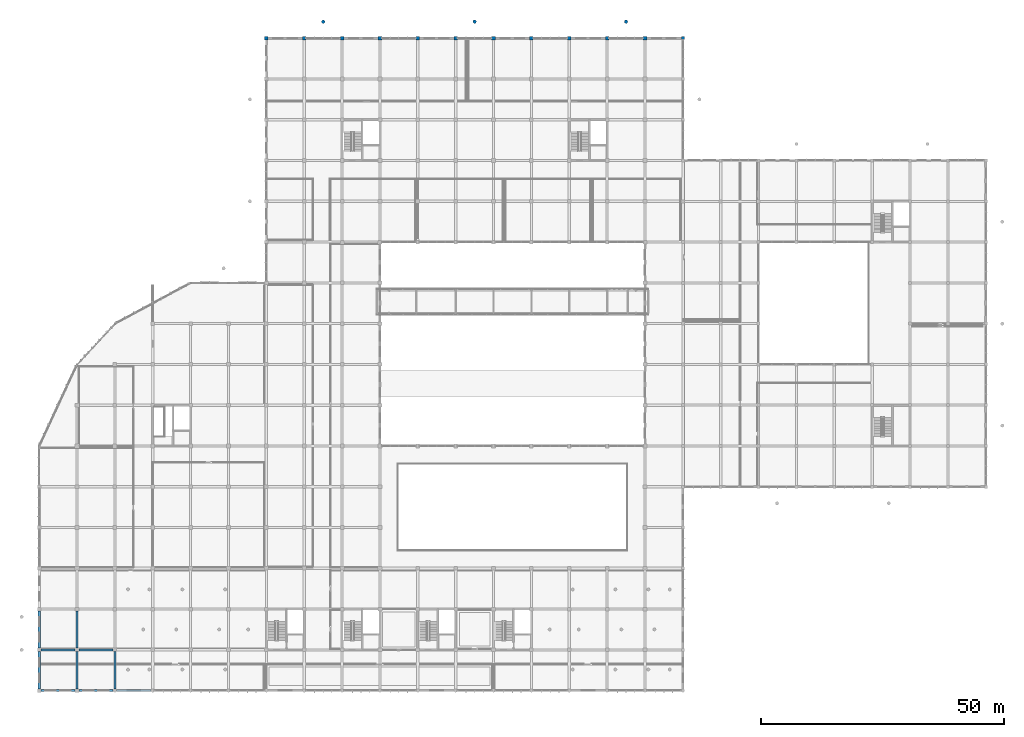
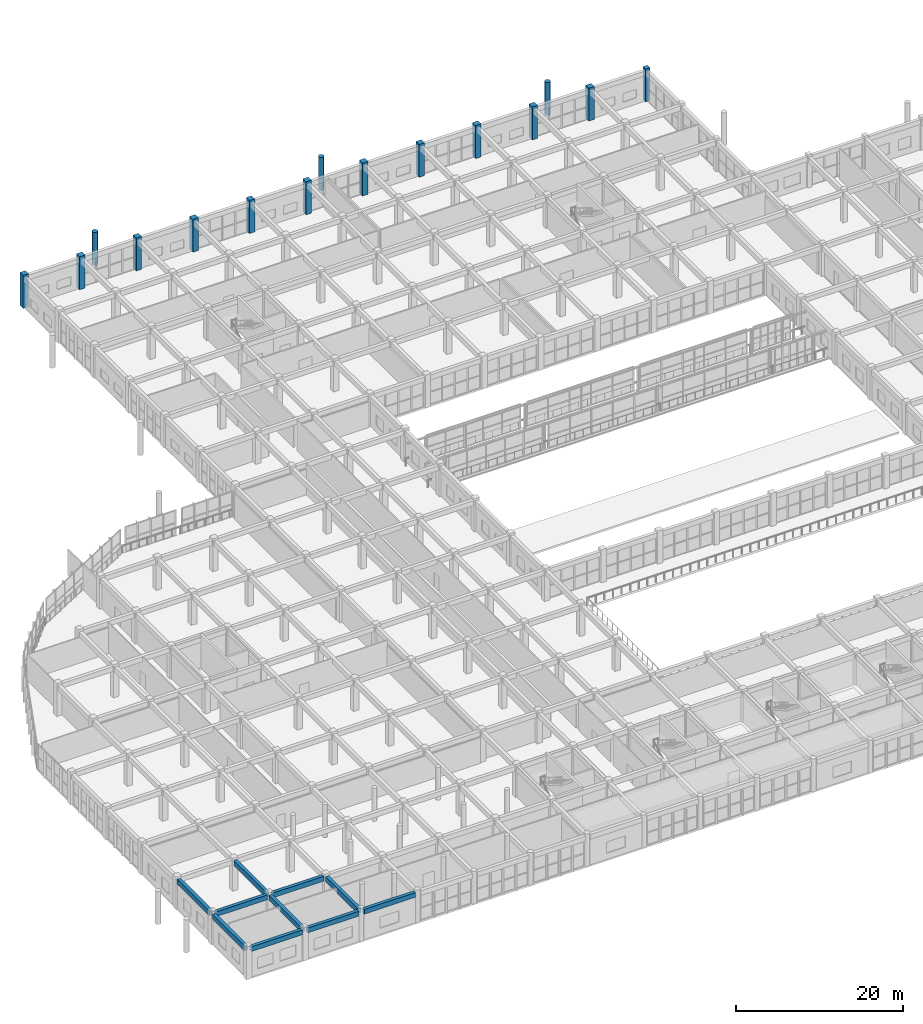
# One storey, part 5 of 167: 15 columns, 10 beams.
"""IFC4 building model written with IfcOpenShell, lengths in metres."""

from ifc_helpers import new_model, si_unit, direction, frame, origin, origin_2d, place, context, subcontext, project, spatial, rectangle, circle, extrude, material, material_profile, profile_set, type_object, element, save


model = new_model("IFC4")

# Units and contexts
model_context = context("Model", 3, precision=1e-05, world=origin(), true_north=direction((0.0, 1.0)))
body_context = subcontext(model_context, "Body", "Model", "MODEL_VIEW")
ifc_project = project(units=[si_unit("LENGTHUNIT", "METRE"), si_unit("AREAUNIT", "SQUARE_METRE"), si_unit("VOLUMEUNIT", "CUBIC_METRE"), si_unit("PLANEANGLEUNIT", "RADIAN"), si_unit("MASSUNIT", "GRAM", prefix="KILO")], contexts=[model_context])

# Site, building, storey
site_placement = place(None, origin())
site = spatial("IfcSite", under=ifc_project, at=site_placement, CompositionType="ELEMENT")
building_placement = place(site_placement, origin())
building = spatial("IfcBuilding", under=site, at=building_placement, Name="Zizhar Promenade General Hospital", CompositionType="ELEMENT")
storey_placement = place(building_placement, frame((0.0, 0.0, 9.60009765625)))
storey = spatial("IfcBuildingStorey", under=building, at=storey_placement, Name="L02", CompositionType="ELEMENT", Elevation=9.60009765625)

# Columns
ifc_material_1 = material(Name="Concrete C40/50", Category="concrete")
ifc_material_profile_1 = material_profile(ifc_material_1, circle(Radius=0.35009765625, at=origin_2d()))
ifc_profile_set_1 = profile_set([ifc_material_profile_1], Name="Concrete C40/50")
column_type_1 = type_object("IfcColumnType", Name="COL-CIRC-700", PredefinedType="PILASTER", material=ifc_profile_set_1)
for number, where, z_axis, x_axis, name in (
    (1, (58.5, 137.800048828125, 0.0), (0.0, 0.0, 1.0), (1.0, 0.0, 0.0), "Base Roof Colonnade Column 06 (L02)"),
    (2, (89.699951171875, 137.800048828125, 0.0), (0.0, 0.0, 1.0), (1.0, 0.0, 0.0), "Base Roof Colonnade Column 07 (L02)"),
    (3, (120.89990234375, 137.800048828125, 0.0), (0.0, 0.0, 1.0), (1.0, 0.0, 0.0), "Base Roof Colonnade Column 08 (L02)"),
):
    element("IfcColumn", number, at=place(storey_placement, frame(where, z_axis=z_axis, x_axis=x_axis)), inside=storey, type_object=column_type_1, Name=name, PredefinedType="PILASTER", context=body_context, shape_type="SweptSolid", body=[
        extrude(circle(Radius=0.35009765625, at=origin_2d()), origin(), (0.0, 0.0, 1.0), 4.7998046875),
    ])
ifc_material_2 = material(Name="Concrete C40/50", Category="concrete")
ifc_material_profile_2 = material_profile(ifc_material_2, rectangle(XDim=0.6201171875, YDim=0.6201171875, at=origin_2d()))
ifc_profile_set_2 = profile_set([ifc_material_profile_2], Name="Concrete C40/50")
column_type_2 = type_object("IfcColumnType", Name="COL-RC-620", PredefinedType="COLUMN", material=ifc_profile_set_2)
column_placement = place(storey_placement, frame((132.60009765625, 134.39990234375, 0.0), z_axis=(0.0, 0.0, 1.0), x_axis=(1.0, 0.0, 0.0)))
element("IfcColumn", 4, at=column_placement, inside=storey, type_object=column_type_2, Name="Column 18-S (L02)", PredefinedType="COLUMN", context=body_context, shape_type="SweptSolid", body=[
    extrude(rectangle(XDim=0.6201171875, YDim=0.6201171875, at=origin_2d()), origin(), (0.0, 0.0, 1.0), 4.7998046875),
])
ifc_material_3 = material(Name="Concrete C40/50", Category="concrete")
ifc_material_profile_3 = material_profile(ifc_material_3, rectangle(XDim=0.75, YDim=0.75, at=origin_2d()))
ifc_profile_set_3 = profile_set([ifc_material_profile_3], Name="Concrete C40/50")
column_type_3 = type_object("IfcColumnType", Name="COL-RC-750", PredefinedType="COLUMN", material=ifc_profile_set_3)
for number, where, z_axis, x_axis, name in (
    (5, (46.800048828125, 134.39990234375, 0.0), (0.0, 0.0, 1.0), (1.0, 0.0, 0.0), "Column 7-S (L02)"),
    (6, (54.60009765625, 134.39990234375, 0.0), (0.0, 0.0, 1.0), (1.0, 0.0, 0.0), "Column 8-S (L02)"),
    (7, (62.39990234375, 134.39990234375, 0.0), (0.0, 0.0, 1.0), (1.0, 0.0, 0.0), "Column 9-S (L02)"),
    (8, (70.199951171875, 134.39990234375, 0.0), (0.0, 0.0, 1.0), (1.0, 0.0, 0.0), "Column 10-S (L02)"),
    (9, (78.0, 134.39990234375, 0.0), (0.0, 0.0, 1.0), (1.0, 0.0, 0.0), "Column 11-S (L02)"),
    (10, (85.800048828125, 134.39990234375, 0.0), (0.0, 0.0, 1.0), (1.0, 0.0, 0.0), "Column 12-S (L02)"),
    (11, (93.60009765625, 134.39990234375, 0.0), (0.0, 0.0, 1.0), (1.0, 0.0, 0.0), "Column 13-S (L02)"),
    (12, (101.39990234375, 134.39990234375, 0.0), (0.0, 0.0, 1.0), (1.0, 0.0, 0.0), "Column 14-S (L02)"),
    (13, (109.199951171875, 134.39990234375, 0.0), (0.0, 0.0, 1.0), (1.0, 0.0, 0.0), "Column 15-S (L02)"),
    (14, (117.0, 134.39990234375, 0.0), (0.0, 0.0, 1.0), (1.0, 0.0, 0.0), "Column 16-S (L02)"),
    (15, (124.800048828125, 134.39990234375, 0.0), (0.0, 0.0, 1.0), (1.0, 0.0, 0.0), "Column 17-S (L02)"),
):
    element("IfcColumn", number, at=place(storey_placement, frame(where, z_axis=z_axis, x_axis=x_axis)), inside=storey, type_object=column_type_3, Name=name, PredefinedType="COLUMN", context=body_context, shape_type="SweptSolid", body=[
        extrude(rectangle(XDim=0.75, YDim=0.75, at=origin_2d()), origin(), (0.0, 0.0, 1.0), 4.7998046875),
    ])

# Beams
ifc_material_4 = material(Name="Concrete C35/45", Category="concrete")
ifc_material_profile_4 = material_profile(ifc_material_4, rectangle(XDim=0.449951171875, YDim=0.699951171875, at=origin_2d()))
ifc_profile_set_4 = profile_set([ifc_material_profile_4], Name="Concrete C35/45")
beam_type_1 = type_object("IfcBeamType", Name="BM-RC-450x700", PredefinedType="BEAM", material=ifc_profile_set_4)
for number, where, z_axis, x_axis, name in (
    (16, (0.375, 0.0, 4.119873046875), (1.0, 0.0, 0.0), (0.0, 1.0, 0.0), "Grid Beam X L02 (0-0)"),
    (17, (0.375, 8.39990234375, 4.119873046875), (1.0, 0.0, 0.0), (0.0, 1.0, 0.0), "Grid Beam X L02 (0-1)"),
):
    element("IfcBeam", number, at=place(storey_placement, frame(where, z_axis=z_axis, x_axis=x_axis)), inside=storey, type_object=beam_type_1, Name=name, PredefinedType="BEAM", context=body_context, shape_type="SweptSolid", body=[
        extrude(rectangle(XDim=0.449951171875, YDim=0.699951171875, at=origin_2d()), origin(), (0.0, 0.0, 1.0), 7.050048828125),
    ])
beam_1_placement = place(storey_placement, frame((8.175048828125, 0.0, 4.119873046875), z_axis=(1.0, 0.0, 0.0), x_axis=(0.0, 1.0, 0.0)))
element("IfcBeam", 18, at=beam_1_placement, inside=storey, type_object=beam_type_1, Name="Grid Beam X L02 (1-0)", PredefinedType="BEAM", context=body_context, shape_type="SweptSolid", body=[
    extrude(rectangle(XDim=0.449951171875, YDim=0.699951171875, at=origin_2d()), origin(), (0.0, 0.0, 1.0), 7.074951171875),
])
beam_2_placement = place(storey_placement, frame((8.175048828125, 8.39990234375, 4.119873046875), z_axis=(1.0, 0.0, 0.0), x_axis=(0.0, 1.0, 0.0)))
element("IfcBeam", 19, at=beam_2_placement, inside=storey, type_object=beam_type_1, Name="Grid Beam X L02 (1-1)", PredefinedType="BEAM", context=body_context, shape_type="SweptSolid", body=[
    extrude(rectangle(XDim=0.449951171875, YDim=0.699951171875, at=origin_2d()), origin(), (0.0, 0.0, 1.0), 7.050048828125),
])
beam_3_placement = place(storey_placement, frame((15.949951171875, 0.0, 4.119873046875), z_axis=(1.0, 0.0, 0.0), x_axis=(0.0, 1.0, 0.0)))
element("IfcBeam", 20, at=beam_3_placement, inside=storey, type_object=beam_type_1, Name="Grid Beam X L02 (2-0)", PredefinedType="BEAM", context=body_context, shape_type="SweptSolid", body=[
    extrude(rectangle(XDim=0.449951171875, YDim=0.699951171875, at=origin_2d()), origin(), (0.0, 0.0, 1.0), 7.10009765625),
])
ifc_material_5 = material(Name="Concrete C35/45", Category="concrete")
ifc_material_profile_5 = material_profile(ifc_material_5, rectangle(XDim=0.449951171875, YDim=0.75, at=origin_2d()))
ifc_profile_set_5 = profile_set([ifc_material_profile_5], Name="Concrete C35/45")
beam_type_2 = type_object("IfcBeamType", Name="BM-RC-450x750", PredefinedType="BEAM", material=ifc_profile_set_5)
beam_4_placement = place(storey_placement, frame((0.0, 0.375, 4.094970703125), z_axis=(0.0, 1.0, 0.0), x_axis=(-1.0, 0.0, 0.0)))
element("IfcBeam", 21, at=beam_4_placement, inside=storey, type_object=beam_type_2, Name="Grid Beam Y L02 (0-0)", PredefinedType="BEAM", context=body_context, shape_type="SweptSolid", body=[
    extrude(rectangle(XDim=0.449951171875, YDim=0.75, at=origin_2d()), origin(), (0.0, 0.0, 1.0), 7.64990234375),
])
beam_5_placement = place(storey_placement, frame((0.0, 8.77490234375, 4.094970703125), z_axis=(0.0, 1.0, 0.0), x_axis=(-1.0, 0.0, 0.0)))
element("IfcBeam", 22, at=beam_5_placement, inside=storey, type_object=beam_type_2, Name="Grid Beam Y L02 (0-1)", PredefinedType="BEAM", context=body_context, shape_type="SweptSolid", body=[
    extrude(rectangle(XDim=0.449951171875, YDim=0.75, at=origin_2d()), origin(), (0.0, 0.0, 1.0), 7.650146484375),
])
beam_6_placement = place(storey_placement, frame((7.800048828125, 0.375, 4.094970703125), z_axis=(0.0, 1.0, 0.0), x_axis=(-1.0, 0.0, 0.0)))
element("IfcBeam", 23, at=beam_6_placement, inside=storey, type_object=beam_type_2, Name="Grid Beam Y L02 (1-0)", PredefinedType="BEAM", context=body_context, shape_type="SweptSolid", body=[
    extrude(rectangle(XDim=0.449951171875, YDim=0.75, at=origin_2d()), origin(), (0.0, 0.0, 1.0), 7.64990234375),
])
beam_7_placement = place(storey_placement, frame((7.800048828125, 8.77490234375, 4.094970703125), z_axis=(0.0, 1.0, 0.0), x_axis=(-1.0, 0.0, 0.0)))
element("IfcBeam", 24, at=beam_7_placement, inside=storey, type_object=beam_type_2, Name="Grid Beam Y L02 (1-1)", PredefinedType="BEAM", context=body_context, shape_type="SweptSolid", body=[
    extrude(rectangle(XDim=0.449951171875, YDim=0.75, at=origin_2d()), origin(), (0.0, 0.0, 1.0), 7.650146484375),
])
beam_8_placement = place(storey_placement, frame((15.60009765625, 0.35009765625, 4.094970703125), z_axis=(0.0, 1.0, 0.0), x_axis=(-1.0, 0.0, 0.0)))
element("IfcBeam", 25, at=beam_8_placement, inside=storey, type_object=beam_type_2, Name="Grid Beam Y L02 (2-0)", PredefinedType="BEAM", context=body_context, shape_type="SweptSolid", body=[
    extrude(rectangle(XDim=0.449951171875, YDim=0.75, at=origin_2d()), origin(), (0.0, 0.0, 1.0), 7.6748046875),
])

save(model, "model.ifc")
